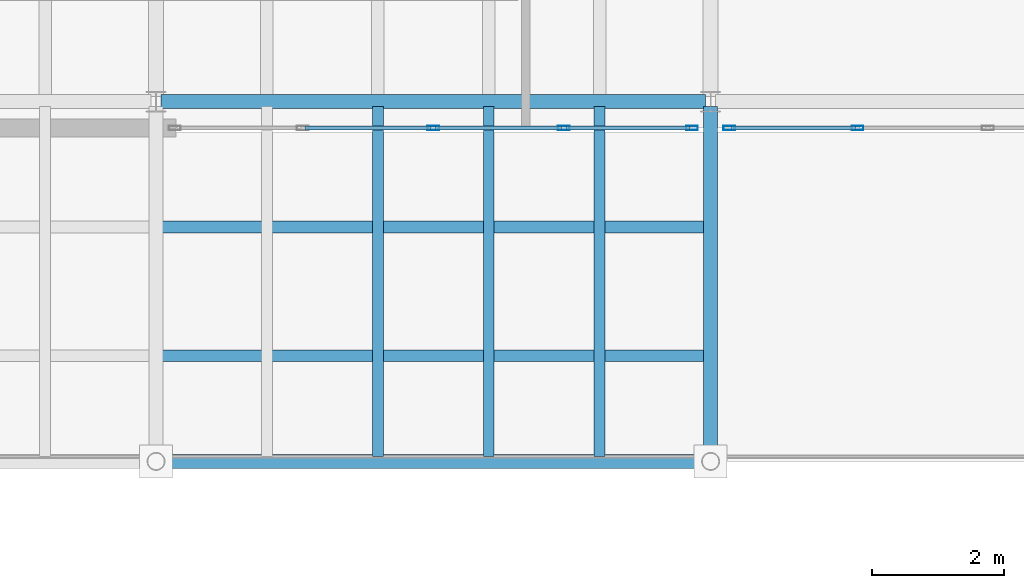
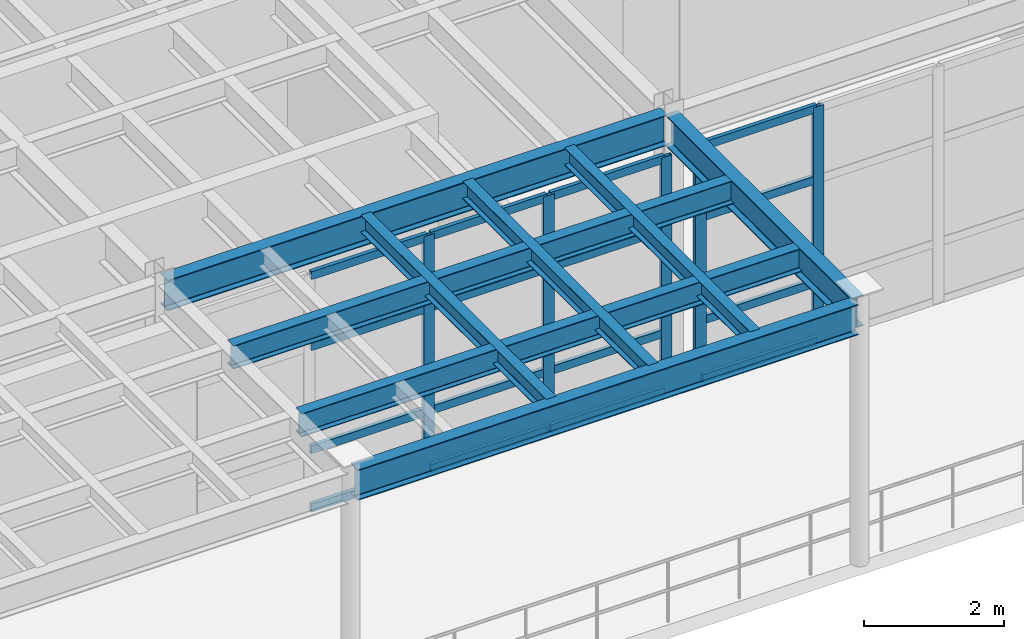
# One storey, part 45 of 105: 21 members, 8 beams, 2 elements without a shape of their own.
"""IFC4 building model written with IfcOpenShell, lengths in metres."""

from ifc_helpers import new_model, si_unit, direction, frame, origin, origin_2d, place, context, subcontext, project, spatial, hollow_rectangle, i_section, extrude, material, layer, layer_set, material_profile, profile_set, type_object, element, aggregate, save


model = new_model("IFC4")

# Units and contexts
model_context = context("Model", 3, precision=1e-05, world=origin(), true_north=direction((0.0, 1.0)))
body_context = subcontext(model_context, "Body", "Model", "MODEL_VIEW")
ifc_project = project(units=[si_unit("LENGTHUNIT", "METRE"), si_unit("AREAUNIT", "SQUARE_METRE"), si_unit("VOLUMEUNIT", "CUBIC_METRE"), si_unit("PLANEANGLEUNIT", "RADIAN"), si_unit("MASSUNIT", "GRAM", prefix="KILO")], contexts=[model_context])

# Site, building, storey
site_placement = place(None, origin())
site = spatial("IfcSite", under=ifc_project, at=site_placement, CompositionType="ELEMENT")
building_placement = place(site_placement, origin())
building = spatial("IfcBuilding", under=site, at=building_placement, Name="Selat Folded Stagehouse", CompositionType="ELEMENT")
storey_placement = place(building_placement, frame((0.0, 0.0, 10.199951171875)))
storey = spatial("IfcBuildingStorey", under=building, at=storey_placement, Name="L02", CompositionType="ELEMENT", Elevation=10.199951171875)

# Beams
ifc_material_1 = material(Name="Steel S355", Category="steel")
ifc_material_profile_1 = material_profile(ifc_material_1, i_section(OverallWidth=0.210693359375, OverallDepth=0.53955078125, WebThickness=0.01171875, FlangeThickness=0.018798828125, FilletRadius=0.0126953125, at=origin_2d()), Name="UKB 533x210x109")
ifc_profile_set_1 = profile_set([ifc_material_profile_1], Name="Steel S355")
beam_type_1 = type_object("IfcBeamType", Name="BM-GIRD-533x210x109", PredefinedType="BEAM", material=ifc_profile_set_1)
beam_1_placement = place(storey_placement, frame((109.199951171875, 0.418212890625, 4.305419921875), z_axis=(0.0, 1.0, 0.0), x_axis=(-1.0, 0.0, 0.0)))
element("IfcBeam", 1, at=beam_1_placement, inside=storey, type_object=beam_type_1, Name="L02 primary y-girder 1069", PredefinedType="BEAM", context=body_context, shape_type="SweptSolid", body=[
    extrude(i_section(OverallWidth=0.210693359375, OverallDepth=0.53955078125, WebThickness=0.01171875, FlangeThickness=0.018798828125, FilletRadius=0.0126953125, at=origin_2d()), origin(), (0.0, 0.0, 1.0), 5.3046875),
])
ifc_material_profile_2 = material_profile(ifc_material_1, i_section(OverallWidth=0.209228515625, OverallDepth=0.533203125, WebThickness=0.010009765625, FlangeThickness=0.015625, FilletRadius=0.0126953125, at=origin_2d()), Name="UKB 533x210x92")
ifc_profile_set_2 = profile_set([ifc_material_profile_2], Name="Steel S355")
beam_type_2 = type_object("IfcBeamType", Name="BM-GIRD-533x210x92", PredefinedType="BEAM", material=ifc_profile_set_2)
beam_2_placement = place(storey_placement, frame((100.868408203125, 0.35009765625, 4.308349609375), z_axis=(1.0, 0.0, 0.0), x_axis=(0.0, 1.0, 0.0)))
element("IfcBeam", 2, at=beam_2_placement, inside=storey, type_object=beam_type_2, Name="L02 primary x-girder 0989", PredefinedType="BEAM", context=body_context, shape_type="SweptSolid", body=[
    extrude(i_section(OverallWidth=0.209228515625, OverallDepth=0.533203125, WebThickness=0.010009765625, FlangeThickness=0.015625, FilletRadius=0.0126953125, at=origin_2d()), origin(), (0.0, 0.0, 1.0), 8.26318359375),
])
beam_3_placement = place(storey_placement, frame((100.876953125, 5.800048828125, 4.308349609375), z_axis=(1.0, 0.0, 0.0), x_axis=(0.0, 1.0, 0.0)))
element("IfcBeam", 3, at=beam_3_placement, inside=storey, type_object=beam_type_2, Name="L02 primary x-girder 0997", PredefinedType="BEAM", context=body_context, shape_type="SweptSolid", body=[
    extrude(i_section(OverallWidth=0.209228515625, OverallDepth=0.533203125, WebThickness=0.010009765625, FlangeThickness=0.015625, FilletRadius=0.0126953125, at=origin_2d()), origin(), (0.0, 0.0, 1.0), 8.24609375),
])

# Curtain wall, members
ifc_material_2 = material(Name="Aluminium 6063-T6", Category="aluminium")
ifc_layer = layer(ifc_material_2, 0.2099609375)
ifc_layer_set = layer_set([ifc_layer], Name="Aluminium 6063-T6")
curtain_wall_type = type_object("IfcCurtainWallType", Name="CW-FYR-SOUTH", PredefinedType="NOTDEFINED", material=ifc_layer_set)
curtain_wall_1_placement = place(storey_placement, origin())
curtain_wall_1 = element("IfcCurtainWall", 4, at=curtain_wall_1_placement, inside=storey, type_object=curtain_wall_type, Name="L02 curtain wall CW-FYR-L02-05", PredefinedType="NOTDEFINED")
ifc_material_profile_3 = material_profile(ifc_material_2, hollow_rectangle(XDim=0.06494140625, YDim=0.179931640625, WallThickness=0.00390625, at=origin_2d()), Name="ALU 180x65x4.0")
ifc_profile_set_3 = profile_set([ifc_material_profile_3], Name="Aluminium 6063-T6")
member_type_1 = type_object("IfcMemberType", Name="CWM-MUL-180x65", PredefinedType="MULLION", material=ifc_profile_set_3)
member_1_placement = place(storey_placement, frame((108.91748046875, 5.39990234375, 0.0), z_axis=(0.0, 0.0, 1.0), x_axis=(0.0, -1.0, 0.0)))
member_1 = element("IfcMember", 5, at=member_1_placement, type_object=member_type_1, Name="CW-04 mullion 1", PredefinedType="MULLION", context=body_context, shape_type="SweptSolid", body=[
    extrude(hollow_rectangle(XDim=0.06494140625, YDim=0.179931640625, WallThickness=0.00390625, at=origin_2d()), origin(), (0.0, 0.0, 1.0), 4.1201171875),
])
member_2_placement = place(storey_placement, frame((106.97509765625, 5.39990234375, 0.0), z_axis=(0.0, 0.0, 1.0), x_axis=(0.0, -1.0, 0.0)))
member_2 = element("IfcMember", 6, at=member_2_placement, type_object=member_type_1, Name="CW-04 mullion 2", PredefinedType="MULLION", context=body_context, shape_type="SweptSolid", body=[
    extrude(hollow_rectangle(XDim=0.06494140625, YDim=0.179931640625, WallThickness=0.00390625, at=origin_2d()), origin(), (0.0, 0.0, 1.0), 4.1201171875),
])
member_3_placement = place(storey_placement, frame((105.0, 5.39990234375, 0.0), z_axis=(0.0, 0.0, 1.0), x_axis=(0.0, -1.0, 0.0)))
member_3 = element("IfcMember", 7, at=member_3_placement, type_object=member_type_1, Name="CW-04 mullion 3", PredefinedType="MULLION", context=body_context, shape_type="SweptSolid", body=[
    extrude(hollow_rectangle(XDim=0.06494140625, YDim=0.179931640625, WallThickness=0.00390625, at=origin_2d()), origin(), (0.0, 0.0, 1.0), 4.1201171875),
])

curtain_wall_2_placement = place(storey_placement, origin())
curtain_wall_2 = element("IfcCurtainWall", 8, at=curtain_wall_2_placement, inside=storey, type_object=curtain_wall_type, Name="L02 curtain wall CW-FYR-L02-06", PredefinedType="NOTDEFINED")
member_4_placement = place(storey_placement, frame((111.425048828125, 5.39990234375, 0.0), z_axis=(0.0, 0.0, 1.0), x_axis=(0.0, -1.0, 0.0)))
member_4 = element("IfcMember", 9, at=member_4_placement, type_object=member_type_1, Name="CW-04 mullion 4", PredefinedType="MULLION", context=body_context, shape_type="SweptSolid", body=[
    extrude(hollow_rectangle(XDim=0.06494140625, YDim=0.179931640625, WallThickness=0.00390625, at=origin_2d()), origin(), (0.0, 0.0, 1.0), 4.1201171875),
])
member_5_placement = place(storey_placement, frame((109.482421875, 5.39990234375, 0.0), z_axis=(0.0, 0.0, 1.0), x_axis=(0.0, -1.0, 0.0)))
member_5 = element("IfcMember", 10, at=member_5_placement, type_object=member_type_1, Name="CW-04 mullion 5", PredefinedType="MULLION", context=body_context, shape_type="SweptSolid", body=[
    extrude(hollow_rectangle(XDim=0.06494140625, YDim=0.179931640625, WallThickness=0.00390625, at=origin_2d()), origin(), (0.0, 0.0, 1.0), 4.1201171875),
])

# Member
ifc_material_profile_4 = material_profile(ifc_material_2, hollow_rectangle(XDim=0.06494140625, YDim=0.139892578125, WallThickness=0.00390625, at=origin_2d()), Name="ALU 140x65x4.0")
ifc_profile_set_4 = profile_set([ifc_material_profile_4], Name="Aluminium 6063-T6")
member_type_2 = type_object("IfcMemberType", Name="CWM-TRN-140x65", PredefinedType="USERDEFINED", material=ifc_profile_set_4)
member_6_placement = place(storey_placement, frame((108.885009765625, 5.39990234375, 0.032470703125), z_axis=(-1.0, 0.0, 0.0), x_axis=(0.0, -1.0, 0.0)))
member_6 = element("IfcMember", 11, at=member_6_placement, type_object=member_type_2, Name="CW-04 transom 1.1", ObjectType="TRANSOM", PredefinedType="USERDEFINED", context=body_context, shape_type="SweptSolid", body=[
    extrude(hollow_rectangle(XDim=0.06494140625, YDim=0.139892578125, WallThickness=0.00390625, at=origin_2d()), origin(), (0.0, 0.0, 1.0), 1.87744140625),
])

member_7_placement = place(storey_placement, frame((108.885009765625, 5.39990234375, 1.050048828125), z_axis=(-1.0, 0.0, 0.0), x_axis=(0.0, -1.0, 0.0)))
member_7 = element("IfcMember", 12, at=member_7_placement, type_object=member_type_2, Name="CW-04 transom 1.2", ObjectType="TRANSOM", PredefinedType="USERDEFINED", context=body_context, shape_type="SweptSolid", body=[
    extrude(hollow_rectangle(XDim=0.06494140625, YDim=0.139892578125, WallThickness=0.00390625, at=origin_2d()), origin(), (0.0, 0.0, 1.0), 1.87744140625),
])

member_8_placement = place(storey_placement, frame((108.885009765625, 5.39990234375, 2.85009765625), z_axis=(-1.0, 0.0, 0.0), x_axis=(0.0, -1.0, 0.0)))
member_8 = element("IfcMember", 13, at=member_8_placement, type_object=member_type_2, Name="CW-04 transom 1.3", ObjectType="TRANSOM", PredefinedType="USERDEFINED", context=body_context, shape_type="SweptSolid", body=[
    extrude(hollow_rectangle(XDim=0.06494140625, YDim=0.139892578125, WallThickness=0.00390625, at=origin_2d()), origin(), (0.0, 0.0, 1.0), 1.87744140625),
])

member_9_placement = place(storey_placement, frame((108.885009765625, 5.39990234375, 4.087646484375), z_axis=(-1.0, 0.0, 0.0), x_axis=(0.0, -1.0, 0.0)))
member_9 = element("IfcMember", 14, at=member_9_placement, type_object=member_type_2, Name="CW-04 transom 1.4", ObjectType="TRANSOM", PredefinedType="USERDEFINED", context=body_context, shape_type="SweptSolid", body=[
    extrude(hollow_rectangle(XDim=0.06494140625, YDim=0.139892578125, WallThickness=0.00390625, at=origin_2d()), origin(), (0.0, 0.0, 1.0), 1.87744140625),
])

member_10_placement = place(storey_placement, frame((106.9423828125, 5.39990234375, 0.032470703125), z_axis=(-1.0, 0.0, 0.0), x_axis=(0.0, -1.0, 0.0)))
member_10 = element("IfcMember", 15, at=member_10_placement, type_object=member_type_2, Name="CW-04 transom 2.1", ObjectType="TRANSOM", PredefinedType="USERDEFINED", context=body_context, shape_type="SweptSolid", body=[
    extrude(hollow_rectangle(XDim=0.06494140625, YDim=0.139892578125, WallThickness=0.00390625, at=origin_2d()), origin(), (0.0, 0.0, 1.0), 1.909912109375),
])

member_11_placement = place(storey_placement, frame((106.9423828125, 5.39990234375, 1.050048828125), z_axis=(-1.0, 0.0, 0.0), x_axis=(0.0, -1.0, 0.0)))
member_11 = element("IfcMember", 16, at=member_11_placement, type_object=member_type_2, Name="CW-04 transom 2.2", ObjectType="TRANSOM", PredefinedType="USERDEFINED", context=body_context, shape_type="SweptSolid", body=[
    extrude(hollow_rectangle(XDim=0.06494140625, YDim=0.139892578125, WallThickness=0.00390625, at=origin_2d()), origin(), (0.0, 0.0, 1.0), 1.909912109375),
])

member_12_placement = place(storey_placement, frame((106.9423828125, 5.39990234375, 2.85009765625), z_axis=(-1.0, 0.0, 0.0), x_axis=(0.0, -1.0, 0.0)))
member_12 = element("IfcMember", 17, at=member_12_placement, type_object=member_type_2, Name="CW-04 transom 2.3", ObjectType="TRANSOM", PredefinedType="USERDEFINED", context=body_context, shape_type="SweptSolid", body=[
    extrude(hollow_rectangle(XDim=0.06494140625, YDim=0.139892578125, WallThickness=0.00390625, at=origin_2d()), origin(), (0.0, 0.0, 1.0), 1.909912109375),
])

member_13_placement = place(storey_placement, frame((106.9423828125, 5.39990234375, 4.087646484375), z_axis=(-1.0, 0.0, 0.0), x_axis=(0.0, -1.0, 0.0)))
member_13 = element("IfcMember", 18, at=member_13_placement, type_object=member_type_2, Name="CW-04 transom 2.4", ObjectType="TRANSOM", PredefinedType="USERDEFINED", context=body_context, shape_type="SweptSolid", body=[
    extrude(hollow_rectangle(XDim=0.06494140625, YDim=0.139892578125, WallThickness=0.00390625, at=origin_2d()), origin(), (0.0, 0.0, 1.0), 1.909912109375),
])

member_14_placement = place(storey_placement, frame((104.967529296875, 5.39990234375, 0.032470703125), z_axis=(-1.0, 0.0, 0.0), x_axis=(0.0, -1.0, 0.0)))
member_14 = element("IfcMember", 19, at=member_14_placement, type_object=member_type_2, Name="CW-04 transom 3.1", ObjectType="TRANSOM", PredefinedType="USERDEFINED", context=body_context, shape_type="SweptSolid", body=[
    extrude(hollow_rectangle(XDim=0.06494140625, YDim=0.139892578125, WallThickness=0.00390625, at=origin_2d()), origin(), (0.0, 0.0, 1.0), 1.909912109375),
])

member_15_placement = place(storey_placement, frame((104.967529296875, 5.39990234375, 1.050048828125), z_axis=(-1.0, 0.0, 0.0), x_axis=(0.0, -1.0, 0.0)))
member_15 = element("IfcMember", 20, at=member_15_placement, type_object=member_type_2, Name="CW-04 transom 3.2", ObjectType="TRANSOM", PredefinedType="USERDEFINED", context=body_context, shape_type="SweptSolid", body=[
    extrude(hollow_rectangle(XDim=0.06494140625, YDim=0.139892578125, WallThickness=0.00390625, at=origin_2d()), origin(), (0.0, 0.0, 1.0), 1.909912109375),
])

member_16_placement = place(storey_placement, frame((104.967529296875, 5.39990234375, 2.85009765625), z_axis=(-1.0, 0.0, 0.0), x_axis=(0.0, -1.0, 0.0)))
member_16 = element("IfcMember", 21, at=member_16_placement, type_object=member_type_2, Name="CW-04 transom 3.3", ObjectType="TRANSOM", PredefinedType="USERDEFINED", context=body_context, shape_type="SweptSolid", body=[
    extrude(hollow_rectangle(XDim=0.06494140625, YDim=0.139892578125, WallThickness=0.00390625, at=origin_2d()), origin(), (0.0, 0.0, 1.0), 1.909912109375),
])

member_17_placement = place(storey_placement, frame((104.967529296875, 5.39990234375, 4.087646484375), z_axis=(-1.0, 0.0, 0.0), x_axis=(0.0, -1.0, 0.0)))
member_17 = element("IfcMember", 22, at=member_17_placement, type_object=member_type_2, Name="CW-04 transom 3.4", ObjectType="TRANSOM", PredefinedType="USERDEFINED", context=body_context, shape_type="SweptSolid", body=[
    extrude(hollow_rectangle(XDim=0.06494140625, YDim=0.139892578125, WallThickness=0.00390625, at=origin_2d()), origin(), (0.0, 0.0, 1.0), 1.909912109375),
])

aggregate(curtain_wall_1, [member_1, member_2, member_3, member_6, member_7, member_8, member_9, member_10, member_11, member_12, member_13, member_14, member_15, member_16, member_17])

member_18_placement = place(storey_placement, frame((111.392578125, 5.39990234375, 0.032470703125), z_axis=(-1.0, 0.0, 0.0), x_axis=(0.0, -1.0, 0.0)))
member_18 = element("IfcMember", 23, at=member_18_placement, type_object=member_type_2, Name="CW-04 transom 4.1", ObjectType="TRANSOM", PredefinedType="USERDEFINED", context=body_context, shape_type="SweptSolid", body=[
    extrude(hollow_rectangle(XDim=0.06494140625, YDim=0.139892578125, WallThickness=0.00390625, at=origin_2d()), origin(), (0.0, 0.0, 1.0), 1.877685546875),
])

member_19_placement = place(storey_placement, frame((111.392578125, 5.39990234375, 1.050048828125), z_axis=(-1.0, 0.0, 0.0), x_axis=(0.0, -1.0, 0.0)))
member_19 = element("IfcMember", 24, at=member_19_placement, type_object=member_type_2, Name="CW-04 transom 4.2", ObjectType="TRANSOM", PredefinedType="USERDEFINED", context=body_context, shape_type="SweptSolid", body=[
    extrude(hollow_rectangle(XDim=0.06494140625, YDim=0.139892578125, WallThickness=0.00390625, at=origin_2d()), origin(), (0.0, 0.0, 1.0), 1.877685546875),
])

member_20_placement = place(storey_placement, frame((111.392578125, 5.39990234375, 2.85009765625), z_axis=(-1.0, 0.0, 0.0), x_axis=(0.0, -1.0, 0.0)))
member_20 = element("IfcMember", 25, at=member_20_placement, type_object=member_type_2, Name="CW-04 transom 4.3", ObjectType="TRANSOM", PredefinedType="USERDEFINED", context=body_context, shape_type="SweptSolid", body=[
    extrude(hollow_rectangle(XDim=0.06494140625, YDim=0.139892578125, WallThickness=0.00390625, at=origin_2d()), origin(), (0.0, 0.0, 1.0), 1.877685546875),
])

member_21_placement = place(storey_placement, frame((111.392578125, 5.39990234375, 4.087646484375), z_axis=(-1.0, 0.0, 0.0), x_axis=(0.0, -1.0, 0.0)))
member_21 = element("IfcMember", 26, at=member_21_placement, type_object=member_type_2, Name="CW-04 transom 4.4", ObjectType="TRANSOM", PredefinedType="USERDEFINED", context=body_context, shape_type="SweptSolid", body=[
    extrude(hollow_rectangle(XDim=0.06494140625, YDim=0.139892578125, WallThickness=0.00390625, at=origin_2d()), origin(), (0.0, 0.0, 1.0), 1.877685546875),
])

aggregate(curtain_wall_2, [member_4, member_5, member_18, member_19, member_20, member_21])

# Beams
ifc_material_profile_5 = material_profile(ifc_material_1, i_section(OverallWidth=0.1650390625, OverallDepth=0.303466796875, WebThickness=0.006103515625, FlangeThickness=0.01025390625, FilletRadius=0.0087890625, at=origin_2d()), Name="UKB 305x165x40")
ifc_profile_set_5 = profile_set([ifc_material_profile_5], Name="Steel S355")
beam_type_3 = type_object("IfcBeamType", Name="JST-305x165x40", PredefinedType="JOIST", material=ifc_profile_set_5)
for number, where, z_axis, x_axis, name in (
    (27, (104.159912109375, 0.42333984375, 4.42333984375), (0.0, 1.0, 0.0), (-1.0, 0.0, 0.0), "L02 secondary floor joist 1177"),
    (28, (105.840087890625, 0.42333984375, 4.42333984375), (0.0, 1.0, 0.0), (-1.0, 0.0, 0.0), "L02 secondary floor joist 1179"),
    (29, (107.52001953125, 0.42333984375, 4.42333984375), (0.0, 1.0, 0.0), (-1.0, 0.0, 0.0), "L02 secondary floor joist 1181"),
):
    element("IfcBeam", number, at=place(storey_placement, frame(where, z_axis=z_axis, x_axis=x_axis)), inside=storey, type_object=beam_type_3, Name=name, PredefinedType="JOIST", context=body_context, shape_type="SweptSolid", body=[
        extrude(i_section(OverallWidth=0.1650390625, OverallDepth=0.303466796875, WebThickness=0.006103515625, FlangeThickness=0.01025390625, FilletRadius=0.0087890625, at=origin_2d()), origin(), (0.0, 0.0, 1.0), 5.303466796875),
    ])
ifc_material_profile_6 = material_profile(ifc_material_1, i_section(OverallWidth=0.177978515625, OverallDepth=0.406494140625, WebThickness=0.0078125, FlangeThickness=0.0126953125, FilletRadius=0.01025390625, at=origin_2d()), Name="UKB 406x178x60")
ifc_profile_set_6 = profile_set([ifc_material_profile_6], Name="Steel S355")
beam_type_4 = type_object("IfcBeamType", Name="JST-406x178x60", PredefinedType="JOIST", material=ifc_profile_set_6)
for number, where, z_axis, x_axis, name in (
    (30, (100.873779296875, 1.949951171875, 4.371826171875), (1.0, 0.0, 0.0), (0.0, 1.0, 0.0), "L02 secondary x-joist 1206"),
    (31, (100.873779296875, 3.89990234375, 4.371826171875), (1.0, 0.0, 0.0), (0.0, 1.0, 0.0), "L02 secondary x-joist 1215"),
):
    element("IfcBeam", number, at=place(storey_placement, frame(where, z_axis=z_axis, x_axis=x_axis)), inside=storey, type_object=beam_type_4, Name=name, PredefinedType="JOIST", context=body_context, shape_type="SweptSolid", body=[
        extrude(i_section(OverallWidth=0.177978515625, OverallDepth=0.406494140625, WebThickness=0.0078125, FlangeThickness=0.0126953125, FilletRadius=0.01025390625, at=origin_2d()), origin(), (0.0, 0.0, 1.0), 8.25244140625),
    ])

save(model, "model.ifc")
